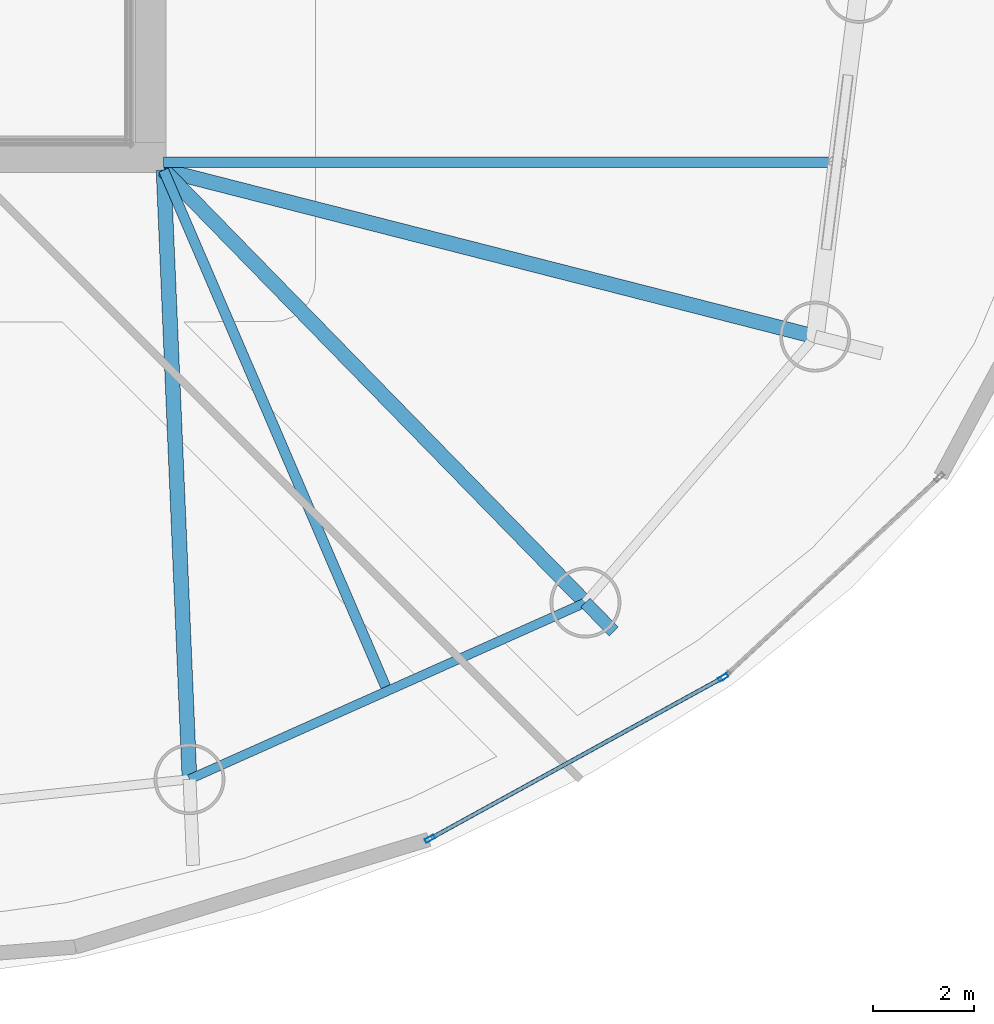
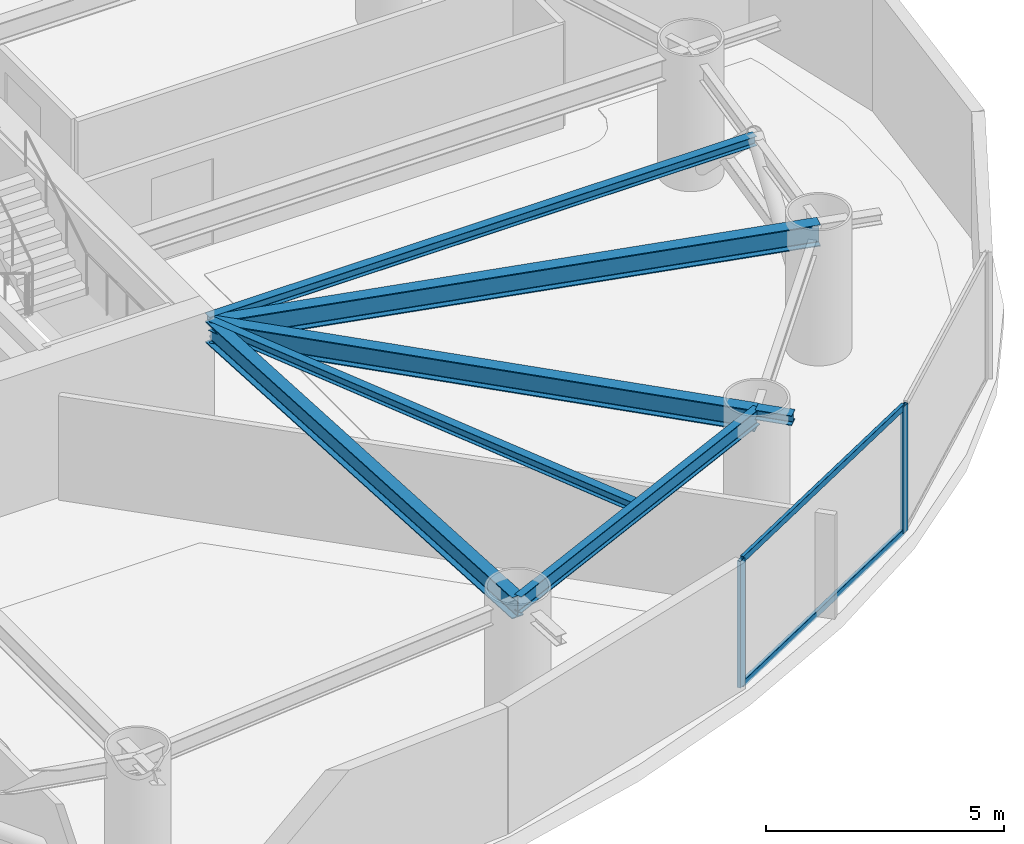
# One storey, part 5 of 21: 7 beams, 4 members, 1 element without a shape of its own.
"""IFC4 building model written with IfcOpenShell, lengths in metres."""

import ifcopenshell
import ifcopenshell.guid

model = None  # the IFC model being written
_history = None  # IfcOwnerHistory: only IFC2X3 demands one
_inside = {}  # id of a spatial element -> (the spatial element, [elements in it])
_under = {}  # id of a project, library or spatial element -> (it, [spatial elements below it])
_declared = {}  # id of a project -> (the project, [libraries it declares])
_typed = {}  # id of a type object -> (the type object, [elements of that type])
_made_of = {}  # id of a material, layer set ... -> (it, [elements and type objects made of it])


def new_model(schema):
    """Start an empty IFC model of exactly this schema.

    Asked for "IFC4X3", IfcOpenShell would pick the latest addendum, in which some entities
    have other attributes; the version numbers below select the first issue.
    IFC2X3 requires an IfcOwnerHistory on every rooted entity: one is made here for all.
    """
    global model, _history
    if schema == "IFC4X3":
        model = ifcopenshell.file(schema_version=(4, 3, 0, 0))
    else:
        model = ifcopenshell.file(schema=schema)
    _inside.clear()
    _under.clear()
    _declared.clear()
    _typed.clear()
    _made_of.clear()
    _history = None
    if model.schema == "IFC2X3":
        org = make("IfcOrganization", Name="unknown")
        user = make(
            "IfcPersonAndOrganization",
            ThePerson=make("IfcPerson", FamilyName="unknown"),
            TheOrganization=org,
        )
        app = make(
            "IfcApplication",
            ApplicationDeveloper=org,
            Version="unknown",
            ApplicationFullName="unknown",
            ApplicationIdentifier="unknown",
        )
        _history = make(
            "IfcOwnerHistory",
            OwningUser=user,
            OwningApplication=app,
            ChangeAction="ADDED",
            CreationDate=0,
        )
    return model


def make(cls, **values):
    """One entity of the class cls with the attributes given. An attribute that is None is left unset."""
    return model.create_entity(
        cls, **{name: value for name, value in values.items() if value is not None}
    )


def rooted(cls, **values):
    """An entity with a GlobalId (a new one), such as an element, a storey or a relation."""
    return make(cls, GlobalId=ifcopenshell.guid.new(), OwnerHistory=_history, **values)


def si_unit(unit_type, name, prefix=None):
    """IfcSIUnit, for example si_unit("LENGTHUNIT", "METRE", prefix="MILLI")."""
    return make("IfcSIUnit", UnitType=unit_type, Prefix=prefix, Name=name)


def assignment(units):
    """IfcUnitAssignment: the units of a project."""
    return None if units is None else make("IfcUnitAssignment", Units=units)


def point(xyz):
    """IfcCartesianPoint."""
    return None if xyz is None else make("IfcCartesianPoint", Coordinates=xyz)


def direction(xyz):
    """IfcDirection."""
    return None if xyz is None else make("IfcDirection", DirectionRatios=xyz)


def frame(location, z_axis=None, x_axis=None):
    """IfcAxis2Placement3D, a coordinate frame: its origin and axes. An axis left out is left unset."""
    return make(
        "IfcAxis2Placement3D",
        Location=point(location),
        Axis=direction(z_axis),
        RefDirection=direction(x_axis),
    )


def frame_2d(location, x_axis=None):
    """IfcAxis2Placement2D, a coordinate frame in the plane: its origin and x axis."""
    return make(
        "IfcAxis2Placement2D", Location=point(location), RefDirection=direction(x_axis)
    )


def origin():
    """The frame at (0, 0, 0) with its axes left unset."""
    return frame((0.0, 0.0, 0.0))


def origin_2d():
    """The frame at (0, 0) in the plane with its x axis left unset."""
    return frame_2d((0.0, 0.0))


def place(relative_to, where):
    """IfcLocalPlacement: puts the frame where relative to a parent placement (None: the world)."""
    return make(
        "IfcLocalPlacement", PlacementRelTo=relative_to, RelativePlacement=where
    )


def context(
    kind, dimensions, precision=None, world=None, true_north=None, identifier=None
):
    """IfcGeometricRepresentationContext, for example the 3D "Model" context."""
    return make(
        "IfcGeometricRepresentationContext",
        ContextIdentifier=identifier,
        ContextType=kind,
        CoordinateSpaceDimension=dimensions,
        Precision=precision,
        WorldCoordinateSystem=world,
        TrueNorth=true_north,
    )


def subcontext(parent, identifier, kind, view, scale=None):
    """IfcGeometricRepresentationSubContext, for example "Body" below "Model"."""
    return make(
        "IfcGeometricRepresentationSubContext",
        ContextIdentifier=identifier,
        ContextType=kind,
        ParentContext=parent,
        TargetScale=scale,
        TargetView=view,
    )


def project(units=None, contexts=None):
    """IfcProject with its units and contexts."""
    return rooted(
        "IfcProject",
        Name="project",
        RepresentationContexts=contexts,
        UnitsInContext=assignment(units),
    )


def spatial(cls, under=None, at=None, **own):
    """A site, building, storey or space (cls), placed at a placement, below another one or the project."""
    s = rooted(cls, ObjectPlacement=at, **own)
    if under is not None:
        _under.setdefault(under.id(), (under, []))[1].append(s)
    return s


def profile(cls, at=None, kind="AREA", **sizes):
    """A parametric profile (cls). Its sizes go by their IFC names, for example OverallWidth=200.0."""
    return make(cls, ProfileType=kind, Position=at, **sizes)


def hollow_rectangle(**sizes):
    """IfcRectangleHollowProfileDef."""
    return profile("IfcRectangleHollowProfileDef", **sizes)


def i_section(**sizes):
    """IfcIShapeProfileDef."""
    return profile("IfcIShapeProfileDef", **sizes)


def extrude(swept, where, along, depth):
    """IfcExtrudedAreaSolid: the profile swept, set in the frame where, extruded along a direction by depth."""
    return make(
        "IfcExtrudedAreaSolid",
        SweptArea=swept,
        Position=where,
        ExtrudedDirection=direction(along),
        Depth=depth,
    )


def shape(context_of_items, identifier, shape_type, items):
    """IfcShapeRepresentation: the items that make up one representation, for example the "Body"."""
    return make(
        "IfcShapeRepresentation",
        ContextOfItems=context_of_items,
        RepresentationIdentifier=identifier,
        RepresentationType=shape_type,
        Items=items,
    )


def material(Name=None, Category=None):
    """IfcMaterial."""
    return make("IfcMaterial", Name=Name, Category=Category)


def layer(
    of_material, thickness, ventilated=None, Name=None, Category=None, Priority=None
):
    """IfcMaterialLayer: one layer of a wall or slab, of a material (None: an air gap)."""
    return make(
        "IfcMaterialLayer",
        Material=of_material,
        LayerThickness=thickness,
        IsVentilated=ventilated,
        Name=Name,
        Category=Category,
        Priority=Priority,
    )


def layer_set(layers, Name=None):
    """IfcMaterialLayerSet."""
    return make("IfcMaterialLayerSet", MaterialLayers=layers, LayerSetName=Name)


def material_profile(
    of_material, cross_section, Name=None, Category=None, Priority=None
):
    """IfcMaterialProfile: a cross section and its material."""
    return make(
        "IfcMaterialProfile",
        Name=Name,
        Material=of_material,
        Profile=cross_section,
        Priority=Priority,
        Category=Category,
    )


def profile_set(profiles, Name=None, composite=None):
    """IfcMaterialProfileSet."""
    return make(
        "IfcMaterialProfileSet",
        Name=Name,
        MaterialProfiles=profiles,
        CompositeProfile=composite,
    )


def made_of(thing, what):
    """Note that an element or type object is made of a material, layer set ...; save() writes the relation."""
    if what is not None:
        _made_of.setdefault(what.id(), (what, []))[1].append(thing)
    return thing


def type_object(cls, material=None, **own):
    """A type object (cls), such as IfcWallType, which elements share."""
    return made_of(rooted(cls, **own), material)


def element(
    cls,
    number,
    at=None,
    inside=None,
    cuts=None,
    type_object=None,
    material=None,
    context=None,
    identifier="Body",
    shape_type=None,
    held_by="IfcProductDefinitionShape",
    body=None,
    shapes=None,
    **own,
):
    """One element of the class cls, such as IfcWall. Its Tag is "e" and its number.

    at: its placement. inside: the storey or other place that contains it. cuts: it is an
    opening in that element (IfcRelVoidsElement). A single representation is given by context,
    identifier, shape_type and body (its items); several are given by shapes. held_by: the class
    of the entity that holds the representations. save() writes the other relations.
    """
    e = rooted(cls, Tag="e%d" % number, ObjectPlacement=at, **own)
    if body is not None:
        shapes = [shape(context, identifier, shape_type, body)]
    if shapes is not None:
        e.Representation = make(held_by, Representations=shapes)
    if inside is not None:
        _inside.setdefault(inside.id(), (inside, []))[1].append(e)
    if cuts is not None:
        rooted(
            "IfcRelVoidsElement", RelatingBuildingElement=cuts, RelatedOpeningElement=e
        )
    if type_object is not None:
        _typed.setdefault(type_object.id(), (type_object, []))[1].append(e)
    return made_of(e, material)


def aggregate(whole, parts):
    """IfcRelAggregates: a whole, such as a stair, and the parts it consists of."""
    return rooted("IfcRelAggregates", RelatingObject=whole, RelatedObjects=parts)


def save(model, path):
    """Write the relations noted so far, then the file.

    IfcRelAggregates (storeys below a building ...), IfcRelContainedInSpatialStructure (elements
    in a storey), IfcRelDefinesByType, IfcRelAssociatesMaterial and IfcRelDeclares: one each for
    every whole, place, type object, material and project.
    """
    for whole, parts in _under.values():
        aggregate(whole, parts)
    for where, things in _inside.values():
        rooted(
            "IfcRelContainedInSpatialStructure",
            RelatedElements=things,
            RelatingStructure=where,
        )
    for kind, things in _typed.values():
        rooted("IfcRelDefinesByType", RelatedObjects=things, RelatingType=kind)
    for what, things in _made_of.values():
        rooted("IfcRelAssociatesMaterial", RelatedObjects=things, RelatingMaterial=what)
    for by, libraries in _declared.values():
        rooted("IfcRelDeclares", RelatingContext=by, RelatedDefinitions=libraries)
    model.write(path)


model = new_model("IFC4")

# Units and contexts
model_context = context("Model", 3, precision=1e-05, world=origin(), true_north=direction((0.0, 1.0)))
body_context = subcontext(model_context, "Body", "Model", "MODEL_VIEW")
ifc_project = project(units=[si_unit("LENGTHUNIT", "METRE"), si_unit("AREAUNIT", "SQUARE_METRE"), si_unit("VOLUMEUNIT", "CUBIC_METRE"), si_unit("PLANEANGLEUNIT", "RADIAN"), si_unit("MASSUNIT", "GRAM", prefix="KILO")], contexts=[model_context])

# Site, building, storey
site_placement = place(None, origin())
site = spatial("IfcSite", under=ifc_project, at=site_placement, CompositionType="ELEMENT")
building_placement = place(site_placement, origin())
building = spatial("IfcBuilding", under=site, at=building_placement, Name="Bramvorn Convention Spire", CompositionType="ELEMENT")
storey_placement = place(building_placement, frame((0.0, 0.0, 102.800048828125)))
storey = spatial("IfcBuildingStorey", under=building, at=storey_placement, Name="L24", CompositionType="ELEMENT", Elevation=102.800048828125)

# Beams
ifc_material_1 = material(Name="Steel CSA G40.21 Grade 350 (350W)", Category="steel")
ifc_material_profile_1 = material_profile(ifc_material_1, i_section(OverallWidth=0.201904296875, OverallDepth=0.2470703125, WebThickness=0.00732421875, FlangeThickness=0.010986328125, FilletRadius=0.011962890625, at=origin_2d()))
ifc_profile_set_1 = profile_set([ifc_material_profile_1], Name="Steel CSA G40.21 Grade 350 (350W) - W250X49")
beam_type_1 = type_object("IfcBeamType", Name="BM-W250X49", PredefinedType="JOIST", material=ifc_profile_set_1)
beam_1_placement = place(storey_placement, frame((49.25, 18.705078125, 3.136474609375), z_axis=(1.0, 0.0, 0.0), x_axis=(0.0, 1.0, 0.0)))
element("IfcBeam", 1, at=beam_1_placement, inside=storey, type_object=beam_type_1, Name="L24 composite floor joist 01", PredefinedType="JOIST", context=body_context, shape_type="SweptSolid", body=[
    extrude(i_section(OverallWidth=0.201904296875, OverallDepth=0.2470703125, WebThickness=0.00732421875, FlangeThickness=0.010986328125, FilletRadius=0.011962890625, at=origin_2d()), origin(), (0.0, 0.0, 1.0), 13.30078125),
])
beam_2_placement = place(storey_placement, frame((49.25, 18.550048828125, 3.136474609375), z_axis=(0.394937739893, -0.918707886985, 0.0), x_axis=(0.918707886985, 0.394937739893, 0.0)))
element("IfcBeam", 2, at=beam_2_placement, inside=storey, type_object=beam_type_1, Name="L24 composite floor joist 15", PredefinedType="JOIST", context=body_context, shape_type="SweptSolid", body=[
    extrude(i_section(OverallWidth=0.201904296875, OverallDepth=0.2470703125, WebThickness=0.00732421875, FlangeThickness=0.010986328125, FilletRadius=0.011962890625, at=origin_2d()), origin(), (0.0, 0.0, 1.0), 11.19384765625),
])
ifc_material_profile_2 = material_profile(ifc_material_1, i_section(OverallWidth=0.25390625, OverallDepth=0.2529296875, WebThickness=0.008544921875, FlangeThickness=0.01416015625, FilletRadius=0.011962890625, at=origin_2d()))
ifc_profile_set_2 = profile_set([ifc_material_profile_2], Name="Steel CSA G40.21 Grade 350 (350W) - W250X73")
beam_type_2 = type_object("IfcBeamType", Name="BM-W250X73", PredefinedType="BEAM", material=ifc_profile_set_2)
beam_3_placement = place(storey_placement, frame((57.579833984375, 10.0107421875, 3.133544921875), z_axis=(0.698201815876, -0.715900987782, 0.0), x_axis=(0.715900987782, 0.698201815876, 0.0)))
element("IfcBeam", 3, at=beam_3_placement, inside=storey, type_object=beam_type_2, Name="L24 slab-edge cantilever tip beam MC16", PredefinedType="BEAM", context=body_context, shape_type="SweptSolid", body=[
    extrude(i_section(OverallWidth=0.25390625, OverallDepth=0.2529296875, WebThickness=0.008544921875, FlangeThickness=0.01416015625, FilletRadius=0.011962890625, at=origin_2d()), origin(), (0.0, 0.0, 1.0), 0.800048828125),
])
ifc_material_profile_3 = material_profile(ifc_material_1, i_section(OverallWidth=0.180908203125, OverallDepth=0.4169921875, WebThickness=0.010986328125, FlangeThickness=0.018310546875, FilletRadius=0.01611328125, at=origin_2d()))
ifc_profile_set_3 = profile_set([ifc_material_profile_3], Name="Steel CSA G40.21 Grade 350 (350W) - W410X85")
beam_type_3 = type_object("IfcBeamType", Name="BM-W410X85", PredefinedType="JOIST", material=ifc_profile_set_3)
beam_4_placement = place(storey_placement, frame((49.76171875, 6.521240234375, 3.051513671875), z_axis=(0.913169534701, 0.407579931908, 0.0), x_axis=(-0.407579931908, 0.913169534701, 0.0)))
element("IfcBeam", 4, at=beam_4_placement, inside=storey, type_object=beam_type_3, Name="L24 mega-column ring beam 15", PredefinedType="JOIST", context=body_context, shape_type="SweptSolid", body=[
    extrude(i_section(OverallWidth=0.180908203125, OverallDepth=0.4169921875, WebThickness=0.010986328125, FlangeThickness=0.018310546875, FilletRadius=0.01611328125, at=origin_2d()), origin(), (0.0, 0.0, 1.0), 8.5615234375),
])
ifc_material_profile_4 = material_profile(ifc_material_1, i_section(OverallWidth=0.2919921875, OverallDepth=0.551025390625, WebThickness=0.01513671875, FlangeThickness=0.0244140625, FilletRadius=0.01904296875, at=origin_2d()))
ifc_profile_set_4 = profile_set([ifc_material_profile_4], Name="Steel CSA G40.21 Grade 350 (350W) - W530X182")
beam_type_4 = type_object("IfcBeamType", Name="BM-W530X182", PredefinedType="BEAM", material=ifc_profile_set_4)
beam_5_placement = place(storey_placement, frame((49.25, 18.550048828125, 2.984375), z_axis=(0.968872976577, -0.247558387576, 0.0), x_axis=(0.247558387576, 0.968872976577, 0.0)))
element("IfcBeam", 5, at=beam_5_placement, inside=storey, type_object=beam_type_4, Name="L24 radial floor girder MC01", PredefinedType="BEAM", context=body_context, shape_type="SweptSolid", body=[
    extrude(i_section(OverallWidth=0.2919921875, OverallDepth=0.551025390625, WebThickness=0.01513671875, FlangeThickness=0.0244140625, FilletRadius=0.01904296875, at=origin_2d()), origin(), (0.0, 0.0, 1.0), 13.281005859375),
])
beam_6_placement = place(storey_placement, frame((49.25, 18.550048828125, 2.984375), z_axis=(0.042502657955, -0.999096353745, 0.0), x_axis=(0.999096353745, 0.042502657955, 0.0)))
element("IfcBeam", 6, at=beam_6_placement, inside=storey, type_object=beam_type_4, Name="L24 radial floor girder MC15", PredefinedType="BEAM", context=body_context, shape_type="SweptSolid", body=[
    extrude(i_section(OverallWidth=0.2919921875, OverallDepth=0.551025390625, WebThickness=0.01513671875, FlangeThickness=0.0244140625, FilletRadius=0.01904296875, at=origin_2d()), origin(), (0.0, 0.0, 1.0), 12.039794921875),
])
beam_7_placement = place(storey_placement, frame((49.25, 18.550048828125, 2.984375), z_axis=(0.698272445638, -0.715832097397, 0.0), x_axis=(0.715832097397, 0.698272445638, 0.0)))
element("IfcBeam", 7, at=beam_7_placement, inside=storey, type_object=beam_type_4, Name="L24 radial floor girder MC16", PredefinedType="BEAM", context=body_context, shape_type="SweptSolid", body=[
    extrude(i_section(OverallWidth=0.2919921875, OverallDepth=0.551025390625, WebThickness=0.01513671875, FlangeThickness=0.0244140625, FilletRadius=0.01904296875, at=origin_2d()), origin(), (0.0, 0.0, 1.0), 11.92919921875),
])

# Curtain wall, members
ifc_material_2 = material(Name="Anodised Bronze Unitised Curtain Wall", Category="aluminium")
ifc_layer = layer(ifc_material_2, 0.179931640625)
ifc_layer_set = layer_set([ifc_layer], Name="Anodised Bronze Unitised Curtain Wall - CW-HTL-FRIT")
curtain_wall_type = type_object("IfcCurtainWallType", Name="CW-HTL-FRIT", PredefinedType="USERDEFINED", material=ifc_layer_set)
curtain_wall_placement = place(storey_placement, origin())
curtain_wall = element("IfcCurtainWall", 8, at=curtain_wall_placement, inside=storey, type_object=curtain_wall_type, Name="L24 fritted glass curtain wall 22", ObjectType="UNITISED CURTAIN WALL", PredefinedType="USERDEFINED")
ifc_material_3 = material(Name="Anodised Bronze Aluminium 6063-T6", Category="aluminium")
ifc_material_profile_5 = material_profile(ifc_material_3, hollow_rectangle(XDim=0.080078125, YDim=0.199951171875, WallThickness=0.00390625, InnerFilletRadius=0.0009765625, OuterFilletRadius=0.00390625, at=origin_2d()))
ifc_profile_set_5 = profile_set([ifc_material_profile_5], Name="Anodised Bronze Aluminium 6063-T6 - CWM80X200")
member_type_1 = type_object("IfcMemberType", Name="CW-MUL-180", PredefinedType="MULLION", material=ifc_profile_set_5)
member_1_placement = place(storey_placement, frame((60.298828125, 8.531005859375, 0.0), z_axis=(0.0, 0.0, 1.0), x_axis=(0.481959641892, -0.876193416768, 0.0)))
member_1 = element("IfcMember", 9, at=member_1_placement, type_object=member_type_1, Name="CW2 mullion 1", PredefinedType="MULLION", context=body_context, shape_type="SweptSolid", body=[
    extrude(hollow_rectangle(XDim=0.080078125, YDim=0.199951171875, WallThickness=0.00390625, InnerFilletRadius=0.0009765625, OuterFilletRadius=0.00390625, at=origin_2d()), origin(), (0.0, 0.0, 1.0), 3.260009765625),
])
member_2_placement = place(storey_placement, frame((54.511474609375, 5.34765625, 0.0), z_axis=(0.0, 0.0, 1.0), x_axis=(0.481959641892, -0.876193416768, 0.0)))
member_2 = element("IfcMember", 10, at=member_2_placement, type_object=member_type_1, Name="CW2 mullion 2", PredefinedType="MULLION", context=body_context, shape_type="SweptSolid", body=[
    extrude(hollow_rectangle(XDim=0.080078125, YDim=0.199951171875, WallThickness=0.00390625, InnerFilletRadius=0.0009765625, OuterFilletRadius=0.00390625, at=origin_2d()), origin(), (0.0, 0.0, 1.0), 3.260009765625),
])
ifc_material_profile_6 = material_profile(ifc_material_3, hollow_rectangle(XDim=0.080078125, YDim=0.159912109375, WallThickness=0.00390625, InnerFilletRadius=0.0009765625, OuterFilletRadius=0.00390625, at=origin_2d()))
ifc_profile_set_6 = profile_set([ifc_material_profile_6], Name="Anodised Bronze Aluminium 6063-T6 - CWT80X160")
member_type_2 = type_object("IfcMemberType", Name="CW-TRN-150", PredefinedType="USERDEFINED", material=ifc_profile_set_6)
member_3_placement = place(storey_placement, frame((60.272705078125, 8.5166015625, 0.030029296875), z_axis=(-0.876192281492, -0.481961705796, 0.0), x_axis=(0.481961705796, -0.876192281492, 0.0)))
member_3 = element("IfcMember", 11, at=member_3_placement, type_object=member_type_2, Name="CW2 transom 1.1", ObjectType="TRANSOM", PredefinedType="USERDEFINED", context=body_context, shape_type="SweptSolid", body=[
    extrude(hollow_rectangle(XDim=0.080078125, YDim=0.159912109375, WallThickness=0.00390625, InnerFilletRadius=0.0009765625, OuterFilletRadius=0.00390625, at=origin_2d()), origin(), (0.0, 0.0, 1.0), 6.545166015625),
])
member_4_placement = place(storey_placement, frame((60.272705078125, 8.5166015625, 3.22998046875), z_axis=(-0.876192281492, -0.481961705796, 0.0), x_axis=(0.481961705796, -0.876192281492, 0.0)))
member_4 = element("IfcMember", 12, at=member_4_placement, type_object=member_type_2, Name="CW2 transom 1.2", ObjectType="TRANSOM", PredefinedType="USERDEFINED", context=body_context, shape_type="SweptSolid", body=[
    extrude(hollow_rectangle(XDim=0.080078125, YDim=0.159912109375, WallThickness=0.00390625, InnerFilletRadius=0.0009765625, OuterFilletRadius=0.00390625, at=origin_2d()), origin(), (0.0, 0.0, 1.0), 6.545166015625),
])
aggregate(curtain_wall, [member_1, member_2, member_3, member_4])

save(model, "model.ifc")
